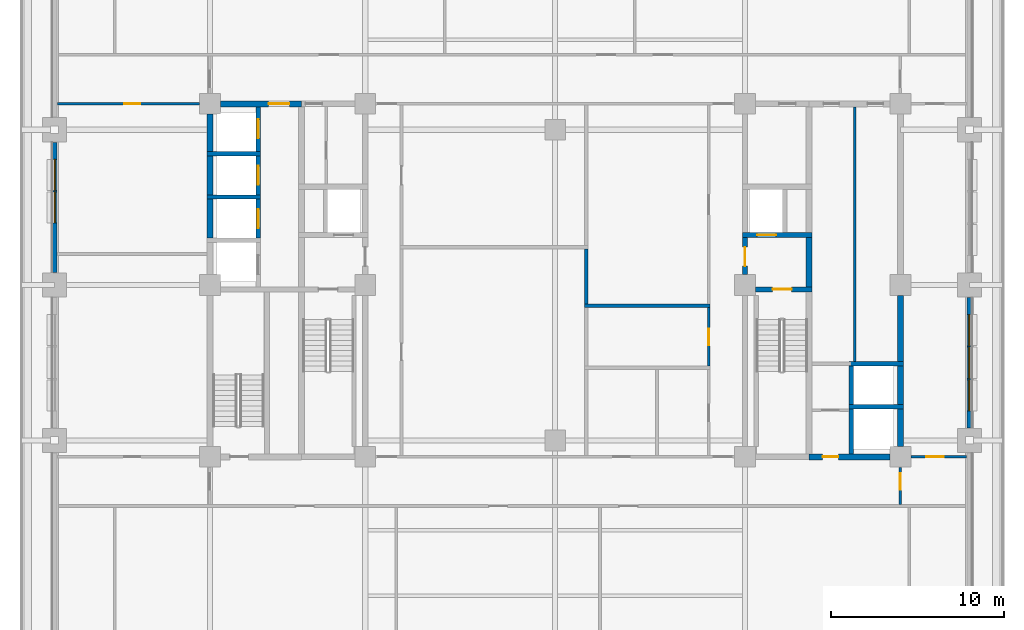
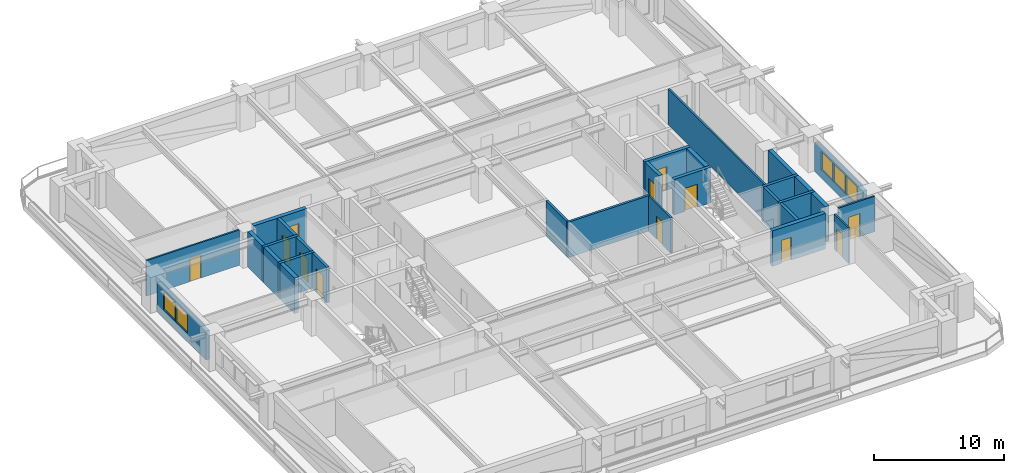
# One storey, part 4 of 14: 30 walls, 12 doors, 5 windows, 17 openings.
"""IFC4 building model written with IfcOpenShell, lengths in metres."""

from ifc_helpers import new_model, si_unit, direction, frame, frame_2d, origin, place, context, subcontext, project, spatial, rectangle, extrude, material, layer, layer_set, type_object, element, fill, save


model = new_model("IFC4")

# Units and contexts
model_context = context("Model", 3, precision=1e-05, world=origin(), true_north=direction((0.0, 1.0)))
body_context = subcontext(model_context, "Body", "Model", "MODEL_VIEW")
ifc_project = project(units=[si_unit("LENGTHUNIT", "METRE"), si_unit("AREAUNIT", "SQUARE_METRE"), si_unit("VOLUMEUNIT", "CUBIC_METRE"), si_unit("PLANEANGLEUNIT", "RADIAN"), si_unit("MASSUNIT", "GRAM", prefix="KILO")], contexts=[model_context])

# Site, building, storey
site_placement = place(None, origin())
site = spatial("IfcSite", under=ifc_project, at=site_placement, CompositionType="ELEMENT")
building_placement = place(site_placement, origin())
building = spatial("IfcBuilding", under=site, at=building_placement, Name="Zulmaris Gate Convention Tower", CompositionType="ELEMENT")
storey_placement = place(building_placement, frame((0.0, 0.0, 64.329833984375)))
storey = spatial("IfcBuildingStorey", under=building, at=storey_placement, Name="L15", CompositionType="ELEMENT", Elevation=64.329833984375)

# Walls
ifc_material_1 = material(Name="Concrete C50/60", Category="concrete")
ifc_layer_1 = layer(ifc_material_1, 0.25, Name="Concrete C50/60")
ifc_layer_set_1 = layer_set([ifc_layer_1], Name="Concrete C50/60")
wall_type_1 = type_object("IfcWallType", Name="CORE-250", PredefinedType="SOLIDWALL", material=ifc_layer_set_1)
for number, where, z_axis, x_axis, name in (
    (1, (17.02490234375, -7.050048828125, 0.0), (0.0, 0.0, 1.0), (1.0, 0.0, 0.0), "WL-L15-005"),
    (2, (17.02490234375, -4.550048828125, 0.0), (0.0, 0.0, 1.0), (1.0, 0.0, 0.0), "WL-L15-006"),
):
    element("IfcWall", number, at=place(storey_placement, frame(where, z_axis=z_axis, x_axis=x_axis)), inside=storey, type_object=wall_type_1, Name=name, PredefinedType="SOLIDWALL", context=body_context, shape_type="SweptSolid", body=[
        extrude(rectangle(XDim=3.150146484375, YDim=0.25, at=frame_2d((1.5751953125, 0.0))), origin(), (0.0, 0.0, 1.0), 3.320068359375),
    ])
for number, where, z_axis, x_axis, name in (
    (3, (-20.175048828125, 5.10009765625, 0.0), (0.0, 0.0, 1.0), (1.0, 0.0, 0.0), "WL-L15-012"),
    (4, (-20.175048828125, 7.60009765625, 0.0), (0.0, 0.0, 1.0), (1.0, 0.0, 0.0), "WL-L15-015"),
):
    element("IfcWall", number, at=place(storey_placement, frame(where, z_axis=z_axis, x_axis=x_axis)), inside=storey, type_object=wall_type_1, Name=name, PredefinedType="SOLIDWALL", context=body_context, shape_type="SweptSolid", body=[
        extrude(rectangle(XDim=3.10009765625, YDim=0.25, at=frame_2d((1.550048828125, 0.0))), origin(), (0.0, 0.0, 1.0), 3.320068359375),
    ])

# Wall, opening, door
wall_1_placement = place(storey_placement, frame((-17.199951171875, 2.72705078125, 0.0), z_axis=(0.0, 0.0, 1.0), x_axis=(0.0, 1.0, 0.0)))
wall_1 = element("IfcWall", 5, at=wall_1_placement, inside=storey, type_object=wall_type_1, Name="WL-L15-040", PredefinedType="SOLIDWALL", context=body_context, shape_type="SweptSolid", body=[
    extrude(rectangle(XDim=2.245849609375, YDim=0.25, at=frame_2d((1.123046875, 0.0))), origin(), (0.0, 0.0, 1.0), 3.320068359375),
])
opening_1_placement = place(wall_1_placement, frame((0.572998046875, 0.0, 0.0)))
opening_1 = element("IfcOpeningElement", 6, at=opening_1_placement, cuts=wall_1, Name="Opening D-06", PredefinedType="OPENING", context=body_context, shape_type="SweptSolid", body=[
    extrude(rectangle(XDim=1.10009765625, YDim=2.199951171875, at=frame_2d((0.550048828125, 1.10009765625))), frame((0.0, 0.135009765625, 0.0), z_axis=(0.0, -1.0, 0.0), x_axis=(1.0, 0.0, 0.0)), (0.0, 0.0, 1.0), 0.27001953125),
])
ifc_material_2 = material(Name="Brushed Stainless Steel", Category="steel")
door_type_1 = type_object("IfcDoorType", Name="LD-1100", OperationType="NOTDEFINED", PredefinedType="DOOR", material=ifc_material_2)
door_1_placement = place(opening_1_placement, origin())
door_1 = element("IfcDoor", 7, at=door_1_placement, inside=storey, type_object=door_type_1, Name="L15 Lift Landing Door LP-02 13", OperationType="SLIDING_TO_LEFT", OverallHeight=2.199951171875, OverallWidth=1.10009765625, PredefinedType="DOOR", context=body_context, shape_type="SweptSolid", body=[
    extrude(rectangle(XDim=1.10009765625, YDim=2.199951171875, at=frame_2d((0.550048828125, 1.10009765625))), frame((0.0, 0.02490234375, 0.0), z_axis=(0.0, -1.0, 0.0), x_axis=(1.0, 0.0, 0.0)), (0.0, 0.0, 1.0), 0.050048828125),
])
fill(opening_1, door_1)

wall_2_placement = place(storey_placement, frame((-17.199951171875, 5.22705078125, 0.0), z_axis=(0.0, 0.0, 1.0), x_axis=(0.0, 1.0, 0.0)))
wall_2 = element("IfcWall", 8, at=wall_2_placement, inside=storey, type_object=wall_type_1, Name="WL-L15-041", PredefinedType="SOLIDWALL", context=body_context, shape_type="SweptSolid", body=[
    extrude(rectangle(XDim=2.245849609375, YDim=0.25, at=frame_2d((1.123046875, 0.0))), origin(), (0.0, 0.0, 1.0), 3.320068359375),
])
opening_2_placement = place(wall_2_placement, frame((0.572998046875, 0.0, 0.0)))
opening_2 = element("IfcOpeningElement", 9, at=opening_2_placement, cuts=wall_2, Name="Opening D-06", PredefinedType="OPENING", context=body_context, shape_type="SweptSolid", body=[
    extrude(rectangle(XDim=1.10009765625, YDim=2.199951171875, at=frame_2d((0.550048828125, 1.10009765625))), frame((0.0, 0.135009765625, 0.0), z_axis=(0.0, -1.0, 0.0), x_axis=(1.0, 0.0, 0.0)), (0.0, 0.0, 1.0), 0.27001953125),
])
door_2_placement = place(opening_2_placement, origin())
door_2 = element("IfcDoor", 10, at=door_2_placement, inside=storey, type_object=door_type_1, Name="L15 Lift Landing Door LP-03 14", OperationType="SLIDING_TO_LEFT", OverallHeight=2.199951171875, OverallWidth=1.10009765625, PredefinedType="DOOR", context=body_context, shape_type="SweptSolid", body=[
    extrude(rectangle(XDim=1.10009765625, YDim=2.199951171875, at=frame_2d((0.550048828125, 1.10009765625))), frame((0.0, 0.02490234375, 0.0), z_axis=(0.0, -1.0, 0.0), x_axis=(1.0, 0.0, 0.0)), (0.0, 0.0, 1.0), 0.050048828125),
])
fill(opening_2, door_2)

wall_3_placement = place(storey_placement, frame((-17.199951171875, 7.72705078125, 0.0), z_axis=(0.0, 0.0, 1.0), x_axis=(0.0, 1.0, 0.0)))
wall_3 = element("IfcWall", 11, at=wall_3_placement, inside=storey, type_object=wall_type_1, Name="WL-L15-042", PredefinedType="SOLIDWALL", context=body_context, shape_type="SweptSolid", body=[
    extrude(rectangle(XDim=2.595947265625, YDim=0.25, at=frame_2d((1.2978515625, 0.0))), origin(), (0.0, 0.0, 1.0), 3.320068359375),
])
opening_3_placement = place(wall_3_placement, frame((0.77294921875, 0.0, 0.0)))
opening_3 = element("IfcOpeningElement", 12, at=opening_3_placement, cuts=wall_3, Name="Opening D-06", PredefinedType="OPENING", context=body_context, shape_type="SweptSolid", body=[
    extrude(rectangle(XDim=1.10009765625, YDim=2.199951171875, at=frame_2d((0.550048828125, 1.10009765625))), frame((0.0, 0.135009765625, 0.0), z_axis=(0.0, -1.0, 0.0), x_axis=(1.0, 0.0, 0.0)), (0.0, 0.0, 1.0), 0.27001953125),
])
door_3_placement = place(opening_3_placement, origin())
door_3 = element("IfcDoor", 13, at=door_3_placement, inside=storey, type_object=door_type_1, Name="L15 Lift Landing Door LP-04 15", OperationType="SLIDING_TO_LEFT", OverallHeight=2.199951171875, OverallWidth=1.10009765625, PredefinedType="DOOR", context=body_context, shape_type="SweptSolid", body=[
    extrude(rectangle(XDim=1.10009765625, YDim=2.199951171875, at=frame_2d((0.550048828125, 1.10009765625))), frame((0.0, 0.02490234375, 0.0), z_axis=(0.0, -1.0, 0.0), x_axis=(1.0, 0.0, 0.0)), (0.0, 0.0, 1.0), 0.050048828125),
])
fill(opening_3, door_3)

# Walls
wall_4_placement = place(storey_placement, frame((17.14990234375, -9.77294921875, 0.0), z_axis=(0.0, 0.0, 1.0), x_axis=(0.0, 1.0, 0.0)))
element("IfcWall", 14, at=wall_4_placement, inside=storey, type_object=wall_type_1, Name="WL-L15-064", PredefinedType="SOLIDWALL", context=body_context, shape_type="SweptSolid", body=[
    extrude(rectangle(XDim=2.595947265625, YDim=0.25, at=frame_2d((1.2978515625, 0.0))), origin(), (0.0, 0.0, 1.0), 3.320068359375),
])
wall_5_placement = place(storey_placement, frame((17.14990234375, -6.923095703125, 0.0), z_axis=(0.0, 0.0, 1.0), x_axis=(0.0, 1.0, 0.0)))
element("IfcWall", 15, at=wall_5_placement, inside=storey, type_object=wall_type_1, Name="WL-L15-065", PredefinedType="SOLIDWALL", context=body_context, shape_type="SweptSolid", body=[
    extrude(rectangle(XDim=2.24609375, YDim=0.25, at=frame_2d((1.123046875, 0.0))), origin(), (0.0, 0.0, 1.0), 3.320068359375),
])

# Wall, opening, door
ifc_layer_2 = layer(ifc_material_1, 0.300048828125, Name="Concrete C50/60")
ifc_layer_set_2 = layer_set([ifc_layer_2], Name="Concrete C50/60")
wall_type_2 = type_object("IfcWallType", Name="CORE-300", PredefinedType="SHEAR", material=ifc_layer_set_2)
wall_6_placement = place(storey_placement, frame((11.60400390625, -0.25, 0.0), z_axis=(0.0, 0.0, 1.0), x_axis=(1.0, 0.0, 0.0)))
wall_6 = element("IfcWall", 16, at=wall_6_placement, inside=storey, type_object=wall_type_2, Name="WL-L15-008", PredefinedType="SHEAR", context=body_context, shape_type="SweptSolid", body=[
    extrude(rectangle(XDim=3.27099609375, YDim=0.300048828125, at=frame_2d((1.635498046875, 0.0))), origin(), (0.0, 0.0, 1.0), 3.320068359375),
])
opening_4_placement = place(wall_6_placement, frame((0.99609375, 0.0, 0.0)))
opening_4 = element("IfcOpeningElement", 17, at=opening_4_placement, cuts=wall_6, Name="Opening D-08", PredefinedType="OPENING", context=body_context, shape_type="SweptSolid", body=[
    extrude(rectangle(XDim=1.10009765625, YDim=2.14990234375, at=frame_2d((0.550048828125, 1.074951171875))), frame((0.0, 0.16015625, 0.0), z_axis=(0.0, -1.0, 0.0), x_axis=(1.0, 0.0, 0.0)), (0.0, 0.0, 1.0), 0.320068359375),
])
ifc_material_3 = material(Name="Fire-Rated Steel", Category="steel")
door_type_2 = type_object("IfcDoorType", Name="DR-1100-FD", OperationType="NOTDEFINED", PredefinedType="DOOR", material=ifc_material_3)
door_4_placement = place(opening_4_placement, origin())
door_4 = element("IfcDoor", 18, at=door_4_placement, inside=storey, type_object=door_type_2, Name="L15 Exit Stair ST-2 Door 04", OperationType="SINGLE_SWING_LEFT", OverallHeight=2.14990234375, OverallWidth=1.10009765625, PredefinedType="DOOR", context=body_context, shape_type="SweptSolid", body=[
    extrude(rectangle(XDim=1.10009765625, YDim=2.14990234375, at=frame_2d((0.550048828125, 1.074951171875))), frame((0.0, 0.02490234375, 0.0), z_axis=(0.0, -1.0, 0.0), x_axis=(1.0, 0.0, 0.0)), (0.0, 0.0, 1.0), 0.050048828125),
])
fill(opening_4, door_4)

wall_7_placement = place(storey_placement, frame((10.85009765625, 2.89990234375, 0.0), z_axis=(0.0, 0.0, 1.0), x_axis=(1.0, 0.0, 0.0)))
wall_7 = element("IfcWall", 19, at=wall_7_placement, inside=storey, type_object=wall_type_2, Name="WL-L15-011", PredefinedType="SHEAR", context=body_context, shape_type="SweptSolid", body=[
    extrude(rectangle(XDim=4.02490234375, YDim=0.300048828125, at=frame_2d((2.012451171875, 0.0))), origin(), (0.0, 0.0, 1.0), 3.320068359375),
])
opening_5_placement = place(wall_7_placement, frame((0.85009765625, 0.0, 0.0)))
opening_5 = element("IfcOpeningElement", 20, at=opening_5_placement, cuts=wall_7, Name="Opening D-06", PredefinedType="OPENING", context=body_context, shape_type="SweptSolid", body=[
    extrude(rectangle(XDim=1.10009765625, YDim=2.199951171875, at=frame_2d((0.550048828125, 1.10009765625))), frame((0.0, 0.16015625, 0.0), z_axis=(0.0, -1.0, 0.0), x_axis=(1.0, 0.0, 0.0)), (0.0, 0.0, 1.0), 0.320068359375),
])
door_5_placement = place(opening_5_placement, origin())
door_5 = element("IfcDoor", 21, at=door_5_placement, inside=storey, type_object=door_type_1, Name="L15 Lift Landing Door LF-02 06", OperationType="SLIDING_TO_RIGHT", OverallHeight=2.199951171875, OverallWidth=1.10009765625, PredefinedType="DOOR", context=body_context, shape_type="SweptSolid", body=[
    extrude(rectangle(XDim=1.10009765625, YDim=2.199951171875, at=frame_2d((0.550048828125, 1.10009765625))), frame((0.0, 0.02490234375, 0.0), z_axis=(0.0, -1.0, 0.0), x_axis=(1.0, 0.0, 0.0)), (0.0, 0.0, 1.0), 0.050048828125),
])
fill(opening_5, door_5)

wall_8_placement = place(storey_placement, frame((11.0, 0.60400390625, 0.0), z_axis=(0.0, 0.0, 1.0), x_axis=(0.0, 1.0, 0.0)))
wall_8 = element("IfcWall", 22, at=wall_8_placement, inside=storey, type_object=wall_type_2, Name="WL-L15-055", PredefinedType="SHEAR", context=body_context, shape_type="SweptSolid", body=[
    extrude(rectangle(XDim=2.14404296875, YDim=0.300048828125, at=frame_2d((1.072021484375, 0.0))), origin(), (0.0, 0.0, 1.0), 3.320068359375),
])
opening_6_placement = place(wall_8_placement, frame((0.49609375, 0.0, 0.0)))
opening_6 = element("IfcOpeningElement", 23, at=opening_6_placement, cuts=wall_8, Name="Opening D-08", PredefinedType="OPENING", context=body_context, shape_type="SweptSolid", body=[
    extrude(rectangle(XDim=1.10009765625, YDim=2.14990234375, at=frame_2d((0.550048828125, 1.074951171875))), frame((0.0, 0.16015625, 0.0), z_axis=(0.0, -1.0, 0.0), x_axis=(1.0, 0.0, 0.0)), (0.0, 0.0, 1.0), 0.320068359375),
])
door_6_placement = place(opening_6_placement, origin())
door_6 = element("IfcDoor", 24, at=door_6_placement, inside=storey, type_object=door_type_2, Name="L15 East Firefighting Lobby Door 05", OperationType="SINGLE_SWING_RIGHT", OverallHeight=2.14990234375, OverallWidth=1.10009765625, PredefinedType="DOOR", context=body_context, shape_type="SweptSolid", body=[
    extrude(rectangle(XDim=1.10009765625, YDim=2.14990234375, at=frame_2d((0.550048828125, 1.074951171875))), frame((0.0, 0.02490234375, 0.0), z_axis=(0.0, -1.0, 0.0), x_axis=(1.0, 0.0, 0.0)), (0.0, 0.0, 1.0), 0.050048828125),
])
fill(opening_6, door_6)

ifc_material_4 = material(Name="Concrete C55/67", Category="concrete")
ifc_layer_3 = layer(ifc_material_4, 0.35009765625, Name="Concrete C55/67")
ifc_layer_set_3 = layer_set([ifc_layer_3], Name="Concrete C55/67")
wall_type_3 = type_object("IfcWallType", Name="CORE-350", PredefinedType="SHEAR", material=ifc_layer_set_3)
wall_9_placement = place(storey_placement, frame((14.699951171875, -9.949951171875, 0.0), z_axis=(0.0, 0.0, 1.0), x_axis=(1.0, 0.0, 0.0)))
wall_9 = element("IfcWall", 25, at=wall_9_placement, inside=storey, type_object=wall_type_3, Name="WL-L15-004", PredefinedType="SHEAR", context=body_context, shape_type="SweptSolid", body=[
    extrude(rectangle(XDim=4.696044921875, YDim=0.35009765625, at=frame_2d((2.34814453125, 0.0))), origin(), (0.0, 0.0, 1.0), 3.320068359375),
])
opening_7_placement = place(wall_9_placement, frame((0.800048828125, 0.0, 0.0)))
opening_7 = element("IfcOpeningElement", 26, at=opening_7_placement, cuts=wall_9, Name="Opening D-12", PredefinedType="OPENING", context=body_context, shape_type="SweptSolid", body=[
    extrude(rectangle(XDim=0.89990234375, YDim=2.14990234375, at=frame_2d((0.449951171875, 1.074951171875))), frame((0.0, 0.18505859375, 0.0), z_axis=(0.0, -1.0, 0.0), x_axis=(1.0, 0.0, 0.0)), (0.0, 0.0, 1.0), 0.3701171875),
])
ifc_material_5 = material(Name="Fire-Rated Timber", Category="wood")
door_type_3 = type_object("IfcDoorType", Name="DR-900-FD", OperationType="NOTDEFINED", PredefinedType="DOOR", material=ifc_material_5)
door_7_placement = place(opening_7_placement, origin())
door_7 = element("IfcDoor", 27, at=door_7_placement, inside=storey, type_object=door_type_3, Name="L15 East Cleaners Store Door 16", OperationType="SINGLE_SWING_RIGHT", OverallHeight=2.14990234375, OverallWidth=0.89990234375, PredefinedType="DOOR", context=body_context, shape_type="SweptSolid", body=[
    extrude(rectangle(XDim=0.89990234375, YDim=2.14990234375, at=frame_2d((0.449951171875, 1.074951171875))), frame((0.0, 0.02490234375, 0.0), z_axis=(0.0, -1.0, 0.0), x_axis=(1.0, 0.0, 0.0)), (0.0, 0.0, 1.0), 0.050048828125),
])
fill(opening_7, door_7)

wall_10_placement = place(storey_placement, frame((-19.39599609375, 10.5, 0.0), z_axis=(0.0, 0.0, 1.0), x_axis=(1.0, 0.0, 0.0)))
wall_10 = element("IfcWall", 28, at=wall_10_placement, inside=storey, type_object=wall_type_3, Name="WL-L15-016", PredefinedType="SHEAR", context=body_context, shape_type="SweptSolid", body=[
    extrude(rectangle(XDim=4.696044921875, YDim=0.35009765625, at=frame_2d((2.34814453125, 0.0))), origin(), (0.0, 0.0, 1.0), 3.320068359375),
])
opening_8_placement = place(wall_10_placement, frame((2.7958984375, 0.0, 0.0)))
opening_8 = element("IfcOpeningElement", 29, at=opening_8_placement, cuts=wall_10, Name="Opening D-13", PredefinedType="OPENING", context=body_context, shape_type="SweptSolid", body=[
    extrude(rectangle(XDim=1.199951171875, YDim=2.14990234375, at=frame_2d((0.60009765625, 1.074951171875))), frame((0.0, 0.18505859375, 0.0), z_axis=(0.0, -1.0, 0.0), x_axis=(1.0, 0.0, 0.0)), (0.0, 0.0, 1.0), 0.3701171875),
])
door_type_4 = type_object("IfcDoorType", Name="DR-1200-FD", OperationType="NOTDEFINED", PredefinedType="DOOR", material=ifc_material_3)
door_8_placement = place(opening_8_placement, origin())
door_8 = element("IfcDoor", 30, at=door_8_placement, inside=storey, type_object=door_type_4, Name="L15 Low-Rise Lift Lobby Door 11", OperationType="SINGLE_SWING_LEFT", OverallHeight=2.14990234375, OverallWidth=1.199951171875, PredefinedType="DOOR", context=body_context, shape_type="SweptSolid", body=[
    extrude(rectangle(XDim=1.199951171875, YDim=2.14990234375, at=frame_2d((0.60009765625, 1.074951171875))), frame((0.0, 0.02490234375, 0.0), z_axis=(0.0, -1.0, 0.0), x_axis=(1.0, 0.0, 0.0)), (0.0, 0.0, 1.0), 0.050048828125),
])
fill(opening_8, door_8)

# Walls
for number, where, z_axis, x_axis, name in (
    (31, (-20.0, 2.72705078125, 0.0), (0.0, 0.0, 1.0), (0.0, 1.0, 0.0), "WL-L15-036"),
    (32, (-20.0, 5.22705078125, 0.0), (0.0, 0.0, 1.0), (0.0, 1.0, 0.0), "WL-L15-037"),
):
    element("IfcWall", number, at=place(storey_placement, frame(where, z_axis=z_axis, x_axis=x_axis)), inside=storey, type_object=wall_type_3, Name=name, PredefinedType="SHEAR", context=body_context, shape_type="SweptSolid", body=[
        extrude(rectangle(XDim=2.245849609375, YDim=0.35009765625, at=frame_2d((1.123046875, 0.0))), origin(), (0.0, 0.0, 1.0), 3.320068359375),
    ])
wall_11_placement = place(storey_placement, frame((-20.0, 7.72705078125, 0.0), z_axis=(0.0, 0.0, 1.0), x_axis=(0.0, 1.0, 0.0)))
element("IfcWall", 33, at=wall_11_placement, inside=storey, type_object=wall_type_3, Name="WL-L15-038", PredefinedType="SHEAR", context=body_context, shape_type="SweptSolid", body=[
    extrude(rectangle(XDim=2.1689453125, YDim=0.35009765625, at=frame_2d((1.08447265625, 0.0))), origin(), (0.0, 0.0, 1.0), 3.320068359375),
])
wall_12_placement = place(storey_placement, frame((14.699951171875, -0.097900390625, 0.0), z_axis=(0.0, 0.0, 1.0), x_axis=(0.0, 1.0, 0.0)))
element("IfcWall", 34, at=wall_12_placement, inside=storey, type_object=wall_type_3, Name="WL-L15-061", PredefinedType="SHEAR", context=body_context, shape_type="SweptSolid", body=[
    extrude(rectangle(XDim=2.845947265625, YDim=0.35009765625, at=frame_2d((1.4228515625, 0.0))), origin(), (0.0, 0.0, 1.0), 3.320068359375),
])
wall_13_placement = place(storey_placement, frame((20.0, -9.345947265625, 0.0), z_axis=(0.0, 0.0, 1.0), x_axis=(0.0, 1.0, 0.0)))
element("IfcWall", 35, at=wall_13_placement, inside=storey, type_object=wall_type_3, Name="WL-L15-066", PredefinedType="SHEAR", context=body_context, shape_type="SweptSolid", body=[
    extrude(rectangle(XDim=2.1689453125, YDim=0.35009765625, at=frame_2d((1.08447265625, 0.0))), origin(), (0.0, 0.0, 1.0), 3.320068359375),
])
wall_14_placement = place(storey_placement, frame((20.0, -6.923095703125, 0.0), z_axis=(0.0, 0.0, 1.0), x_axis=(0.0, 1.0, 0.0)))
element("IfcWall", 36, at=wall_14_placement, inside=storey, type_object=wall_type_3, Name="WL-L15-067", PredefinedType="SHEAR", context=body_context, shape_type="SweptSolid", body=[
    extrude(rectangle(XDim=2.24609375, YDim=0.35009765625, at=frame_2d((1.123046875, 0.0))), origin(), (0.0, 0.0, 1.0), 3.320068359375),
])
wall_15_placement = place(storey_placement, frame((20.0, -4.423095703125, 0.0), z_axis=(0.0, 0.0, 1.0), x_axis=(0.0, 1.0, 0.0)))
element("IfcWall", 37, at=wall_15_placement, inside=storey, type_object=wall_type_3, Name="WL-L15-068", PredefinedType="SHEAR", context=body_context, shape_type="SweptSolid", body=[
    extrude(rectangle(XDim=3.819091796875, YDim=0.35009765625, at=frame_2d((1.90966796875, 0.0))), origin(), (0.0, 0.0, 1.0), 3.320068359375),
])

# Wall, opening, door
ifc_material_6 = material(Name="Gypsum Metal Stud Partition")
ifc_layer_4 = layer(ifc_material_6, 0.14990234375, Name="Gypsum Metal Stud Partition")
ifc_layer_set_4 = layer_set([ifc_layer_4], Name="Gypsum Metal Stud Partition")
wall_type_4 = type_object("IfcWallType", Name="PART-150", PredefinedType="PARTITIONING", material=ifc_layer_set_4)
wall_16_placement = place(storey_placement, frame((20.60595703125, -9.949951171875, 0.0), z_axis=(0.0, 0.0, 1.0), x_axis=(1.0, 0.0, 0.0)))
wall_16 = element("IfcWall", 38, at=wall_16_placement, inside=storey, type_object=wall_type_4, Name="WL-L15-023", PredefinedType="PARTITIONING", context=body_context, shape_type="SweptSolid", body=[
    extrude(rectangle(XDim=3.22900390625, YDim=0.14990234375, at=frame_2d((1.614501953125, 0.0))), origin(), (0.0, 0.0, 1.0), 3.320068359375),
])
opening_9_placement = place(wall_16_placement, frame((0.89404296875, 0.0, 0.0)))
opening_9 = element("IfcOpeningElement", 39, at=opening_9_placement, cuts=wall_16, Name="Opening D-10", PredefinedType="OPENING", context=body_context, shape_type="SweptSolid", body=[
    extrude(rectangle(XDim=1.0, YDim=2.14990234375, at=frame_2d((0.5, 1.074951171875))), frame((0.0, 0.0849609375, 0.0), z_axis=(0.0, -1.0, 0.0), x_axis=(1.0, 0.0, 0.0)), (0.0, 0.0, 1.0), 0.169921875),
])
door_type_5 = type_object("IfcDoorType", Name="DR-1000-FD", OperationType="NOTDEFINED", PredefinedType="DOOR", material=ifc_material_5)
door_9_placement = place(opening_9_placement, origin())
door_9 = element("IfcDoor", 40, at=door_9_placement, inside=storey, type_object=door_type_5, Name="L15 East Workplace South Door 43", OperationType="SINGLE_SWING_LEFT", OverallHeight=2.14990234375, OverallWidth=1.0, PredefinedType="DOOR", context=body_context, shape_type="SweptSolid", body=[
    extrude(rectangle(XDim=1.0, YDim=2.14990234375, at=frame_2d((0.5, 1.074951171875))), frame((0.0, 0.02490234375, 0.0), z_axis=(0.0, -1.0, 0.0), x_axis=(1.0, 0.0, 0.0)), (0.0, 0.0, 1.0), 0.050048828125),
])
fill(opening_9, door_9)

wall_17_placement = place(storey_placement, frame((-28.8349609375, 10.5, 0.0), z_axis=(0.0, 0.0, 1.0), x_axis=(1.0, 0.0, 0.0)))
wall_17 = element("IfcWall", 41, at=wall_17_placement, inside=storey, type_object=wall_type_4, Name="WL-L15-030", PredefinedType="PARTITIONING", context=body_context, shape_type="SweptSolid", body=[
    extrude(rectangle(XDim=8.22900390625, YDim=0.14990234375, at=frame_2d((4.114501953125, 0.0))), origin(), (0.0, 0.0, 1.0), 3.320068359375),
])
opening_10_placement = place(wall_17_placement, frame((3.860107421875, 0.0, 0.0)))
opening_10 = element("IfcOpeningElement", 42, at=opening_10_placement, cuts=wall_17, Name="Opening D-11", PredefinedType="OPENING", context=body_context, shape_type="SweptSolid", body=[
    extrude(rectangle(XDim=0.949951171875, YDim=2.14990234375, at=frame_2d((0.47509765625, 1.074951171875))), frame((0.0, 0.0849609375, 0.0), z_axis=(0.0, -1.0, 0.0), x_axis=(1.0, 0.0, 0.0)), (0.0, 0.0, 1.0), 0.169921875),
])
door_type_6 = type_object("IfcDoorType", Name="DR-950-FD", OperationType="NOTDEFINED", PredefinedType="DOOR", material=ifc_material_5)
door_10_placement = place(opening_10_placement, origin())
door_10 = element("IfcDoor", 43, at=door_10_placement, inside=storey, type_object=door_type_6, Name="L15 NW Partner Door 38", OperationType="SINGLE_SWING_RIGHT", OverallHeight=2.14990234375, OverallWidth=0.949951171875, PredefinedType="DOOR", context=body_context, shape_type="SweptSolid", body=[
    extrude(rectangle(XDim=0.949951171875, YDim=2.14990234375, at=frame_2d((0.47509765625, 1.074951171875))), frame((0.0, 0.02490234375, 0.0), z_axis=(0.0, -1.0, 0.0), x_axis=(1.0, 0.0, 0.0)), (0.0, 0.0, 1.0), 0.050048828125),
])
fill(opening_10, door_10)

wall_18_placement = place(storey_placement, frame((8.89990234375, -4.697021484375, 0.0), z_axis=(0.0, 0.0, 1.0), x_axis=(0.0, 1.0, 0.0)))
wall_18 = element("IfcWall", 44, at=wall_18_placement, inside=storey, type_object=wall_type_4, Name="WL-L15-086", PredefinedType="PARTITIONING", context=body_context, shape_type="SweptSolid", body=[
    extrude(rectangle(XDim=3.39404296875, YDim=0.14990234375, at=frame_2d((1.697021484375, 0.0))), origin(), (0.0, 0.0, 1.0), 3.320068359375),
])
opening_11_placement = place(wall_18_placement, frame((1.221923828125, 0.0, 0.0)))
opening_11 = element("IfcOpeningElement", 45, at=opening_11_placement, cuts=wall_18, Name="Opening D-11", PredefinedType="OPENING", context=body_context, shape_type="SweptSolid", body=[
    extrude(rectangle(XDim=0.949951171875, YDim=2.14990234375, at=frame_2d((0.47509765625, 1.074951171875))), frame((0.0, 0.0849609375, 0.0), z_axis=(0.0, -1.0, 0.0), x_axis=(1.0, 0.0, 0.0)), (0.0, 0.0, 1.0), 0.169921875),
])
door_11_placement = place(opening_11_placement, origin())
door_11 = element("IfcDoor", 46, at=door_11_placement, inside=storey, type_object=door_type_6, Name="L15 Public WC Door 33", OperationType="SINGLE_SWING_LEFT", OverallHeight=2.14990234375, OverallWidth=0.949951171875, PredefinedType="DOOR", context=body_context, shape_type="SweptSolid", body=[
    extrude(rectangle(XDim=0.949951171875, YDim=2.14990234375, at=frame_2d((0.47509765625, 1.074951171875))), frame((0.0, 0.02490234375, 0.0), z_axis=(0.0, -1.0, 0.0), x_axis=(1.0, 0.0, 0.0)), (0.0, 0.0, 1.0), 0.050048828125),
])
fill(opening_11, door_11)

# Wall
wall_19_placement = place(storey_placement, frame((17.35009765625, -4.422119140625, 0.0), z_axis=(0.0, 0.0, 1.0), x_axis=(0.0, 1.0, 0.0)))
element("IfcWall", 47, at=wall_19_placement, inside=storey, type_object=wall_type_4, Name="WL-L15-088", PredefinedType="PARTITIONING", context=body_context, shape_type="SweptSolid", body=[
    extrude(rectangle(XDim=14.744140625, YDim=0.14990234375, at=frame_2d((7.3720703125, 0.0))), origin(), (0.0, 0.0, 1.0), 3.320068359375),
])

# Wall, opening, door
wall_20_placement = place(storey_placement, frame((20.0, -12.721923828125, 0.0), z_axis=(0.0, 0.0, 1.0), x_axis=(0.0, 1.0, 0.0)))
wall_20 = element("IfcWall", 48, at=wall_20_placement, inside=storey, type_object=wall_type_4, Name="WL-L15-089", PredefinedType="PARTITIONING", context=body_context, shape_type="SweptSolid", body=[
    extrude(rectangle(XDim=2.166015625, YDim=0.14990234375, at=frame_2d((1.0830078125, 0.0))), origin(), (0.0, 0.0, 1.0), 3.320068359375),
])
opening_12_placement = place(wall_20_placement, frame((0.866943359375, 0.0, 0.0)))
opening_12 = element("IfcOpeningElement", 49, at=opening_12_placement, cuts=wall_20, Name="Opening D-11", PredefinedType="OPENING", context=body_context, shape_type="SweptSolid", body=[
    extrude(rectangle(XDim=0.949951171875, YDim=2.14990234375, at=frame_2d((0.47509765625, 1.074951171875))), frame((0.0, 0.0849609375, 0.0), z_axis=(0.0, -1.0, 0.0), x_axis=(1.0, 0.0, 0.0)), (0.0, 0.0, 1.0), 0.169921875),
])
door_12_placement = place(opening_12_placement, origin())
door_12 = element("IfcDoor", 50, at=door_12_placement, inside=storey, type_object=door_type_6, Name="L15 SE Spur Door 41", OperationType="SINGLE_SWING_LEFT", OverallHeight=2.14990234375, OverallWidth=0.949951171875, PredefinedType="DOOR", context=body_context, shape_type="SweptSolid", body=[
    extrude(rectangle(XDim=0.949951171875, YDim=2.14990234375, at=frame_2d((0.47509765625, 1.074951171875))), frame((0.0, 0.02490234375, 0.0), z_axis=(0.0, -1.0, 0.0), x_axis=(1.0, 0.0, 0.0)), (0.0, 0.0, 1.0), 0.050048828125),
])
fill(opening_12, door_12)

# Walls
ifc_material_7 = material(Name="Autoclaved Aerated Concrete Block and Plasterboard", Category="concrete")
ifc_layer_5 = layer(ifc_material_7, 0.199951171875, Name="Autoclaved Aerated Concrete Block and Plasterboard")
ifc_layer_set_5 = layer_set([ifc_layer_5], Name="Autoclaved Aerated Concrete Block and Plasterboard")
wall_type_5 = type_object("IfcWallType", Name="PART-200", PredefinedType="PARTITIONING", material=ifc_layer_set_5)
wall_21_placement = place(storey_placement, frame((1.699951171875, -1.199951171875, 0.0), z_axis=(0.0, 0.0, 1.0), x_axis=(1.0, 0.0, 0.0)))
element("IfcWall", 51, at=wall_21_placement, inside=storey, type_object=wall_type_5, Name="WL-L15-027", PredefinedType="PARTITIONING", context=body_context, shape_type="SweptSolid", body=[
    extrude(rectangle(XDim=7.275146484375, YDim=0.199951171875, at=frame_2d((3.6376953125, 0.0))), origin(), (0.0, 0.0, 1.0), 3.320068359375),
])
wall_22_placement = place(storey_placement, frame((1.800048828125, -1.096923828125, 0.0), z_axis=(0.0, 0.0, 1.0), x_axis=(0.0, 1.0, 0.0)))
element("IfcWall", 52, at=wall_22_placement, inside=storey, type_object=wall_type_5, Name="WL-L15-080", PredefinedType="PARTITIONING", context=body_context, shape_type="SweptSolid", body=[
    extrude(rectangle(XDim=3.19384765625, YDim=0.199951171875, at=frame_2d((1.596923828125, 0.0))), origin(), (0.0, 0.0, 1.0), 3.320068359375),
])

# Wall, openings, windows
ifc_material_8 = material(Name="Precast concrete C40/50", Category="concrete")
ifc_layer_6 = layer(ifc_material_8, 0.300048828125, Name="Precast concrete C40/50")
ifc_layer_set_6 = layer_set([ifc_layer_6], Name="Precast concrete C40/50")
wall_type_6 = type_object("IfcWallType", Name="PRECAST-PIER-300", PredefinedType="STANDARD", material=ifc_layer_set_6)
wall_23_placement = place(storey_placement, frame((24.0, -8.27001953125, 0.0), z_axis=(0.0, 0.0, 1.0), x_axis=(0.0, 1.0, 0.0)))
wall_23 = element("IfcWall", 53, at=wall_23_placement, inside=storey, type_object=wall_type_6, Name="EW-L15-E-1_0", PredefinedType="STANDARD", context=body_context, shape_type="SweptSolid", body=[
    extrude(rectangle(XDim=7.5400390625, YDim=0.300048828125, at=frame_2d((3.77001953125, 0.0))), origin(), (0.0, 0.0, 1.0), 2.712158203125),
])
opening_13_placement = place(wall_23_placement, frame((0.985107421875, 0.0, 0.780029296875)))
opening_13 = element("IfcOpeningElement", 54, at=opening_13_placement, cuts=wall_23, Name="Opening W-02", PredefinedType="OPENING", context=body_context, shape_type="SweptSolid", body=[
    extrude(rectangle(XDim=1.800048828125, YDim=1.719970703125, at=frame_2d((0.89990234375, 0.85986328125))), frame((0.0, 0.16015625, 0.0), z_axis=(0.0, -1.0, 0.0), x_axis=(1.0, 0.0, 0.0)), (0.0, 0.0, 1.0), 0.320068359375),
])
opening_14_placement = place(wall_23_placement, frame((2.8701171875, 0.0, 0.780029296875)))
opening_14 = element("IfcOpeningElement", 55, at=opening_14_placement, cuts=wall_23, Name="Opening W-02", PredefinedType="OPENING", context=body_context, shape_type="SweptSolid", body=[
    extrude(rectangle(XDim=1.800048828125, YDim=1.719970703125, at=frame_2d((0.89990234375, 0.85986328125))), frame((0.0, 0.16015625, 0.0), z_axis=(0.0, -1.0, 0.0), x_axis=(1.0, 0.0, 0.0)), (0.0, 0.0, 1.0), 0.320068359375),
])
opening_15_placement = place(wall_23_placement, frame((4.7548828125, 0.0, 0.780029296875)))
opening_15 = element("IfcOpeningElement", 56, at=opening_15_placement, cuts=wall_23, Name="Opening W-02", PredefinedType="OPENING", context=body_context, shape_type="SweptSolid", body=[
    extrude(rectangle(XDim=1.800048828125, YDim=1.719970703125, at=frame_2d((0.89990234375, 0.85986328125))), frame((0.0, 0.16015625, 0.0), z_axis=(0.0, -1.0, 0.0), x_axis=(1.0, 0.0, 0.0)), (0.0, 0.0, 1.0), 0.320068359375),
])
ifc_material_9 = material(Name="Low-E Laminated Double Glazing in Aluminium Frame", Category="aluminium")
window_type = type_object("IfcWindowType", Name="WIN-1800x2200", PartitioningType="SINGLE_PANEL", PredefinedType="WINDOW", material=ifc_material_9)
window_1_placement = place(opening_13_placement, origin())
window_1 = element("IfcWindow", 57, at=window_1_placement, inside=storey, type_object=window_type, Name="WN-EW-L15-E-1_0-1", OverallHeight=1.719970703125, OverallWidth=1.800048828125, PartitioningType="SINGLE_PANEL", PredefinedType="WINDOW", context=body_context, shape_type="SweptSolid", body=[
    extrude(rectangle(XDim=1.800048828125, YDim=1.719970703125, at=frame_2d((0.89990234375, 0.85986328125))), frame((0.0, 0.030029296875, 0.0), z_axis=(0.0, -1.0, 0.0), x_axis=(1.0, 0.0, 0.0)), (0.0, 0.0, 1.0), 0.06005859375),
])
fill(opening_13, window_1)
window_2_placement = place(opening_14_placement, origin())
window_2 = element("IfcWindow", 58, at=window_2_placement, inside=storey, type_object=window_type, Name="WN-EW-L15-E-1_0-2", OverallHeight=1.719970703125, OverallWidth=1.800048828125, PartitioningType="SINGLE_PANEL", PredefinedType="WINDOW", context=body_context, shape_type="SweptSolid", body=[
    extrude(rectangle(XDim=1.800048828125, YDim=1.719970703125, at=frame_2d((0.89990234375, 0.85986328125))), frame((0.0, 0.030029296875, 0.0), z_axis=(0.0, -1.0, 0.0), x_axis=(1.0, 0.0, 0.0)), (0.0, 0.0, 1.0), 0.06005859375),
])
fill(opening_14, window_2)
window_3_placement = place(opening_15_placement, origin())
window_3 = element("IfcWindow", 59, at=window_3_placement, inside=storey, type_object=window_type, Name="WN-EW-L15-E-1_0-3", OverallHeight=1.719970703125, OverallWidth=1.800048828125, PartitioningType="SINGLE_PANEL", PredefinedType="WINDOW", context=body_context, shape_type="SweptSolid", body=[
    extrude(rectangle(XDim=1.800048828125, YDim=1.719970703125, at=frame_2d((0.89990234375, 0.85986328125))), frame((0.0, 0.030029296875, 0.0), z_axis=(0.0, -1.0, 0.0), x_axis=(1.0, 0.0, 0.0)), (0.0, 0.0, 1.0), 0.06005859375),
])
fill(opening_15, window_3)

wall_24_placement = place(storey_placement, frame((-29.0, 8.27001953125, 0.0), z_axis=(0.0, 0.0, 1.0), x_axis=(0.0, -1.0, 0.0)))
wall_24 = element("IfcWall", 60, at=wall_24_placement, inside=storey, type_object=wall_type_6, Name="EW-L15-W-2_0", PredefinedType="STANDARD", context=body_context, shape_type="SweptSolid", body=[
    extrude(rectangle(XDim=7.5400390625, YDim=0.300048828125, at=frame_2d((3.77001953125, 0.0))), origin(), (0.0, 0.0, 1.0), 2.712158203125),
])
opening_16_placement = place(wall_24_placement, frame((0.985107421875, 0.0, 0.780029296875)))
opening_16 = element("IfcOpeningElement", 61, at=opening_16_placement, cuts=wall_24, Name="Opening W-02", PredefinedType="OPENING", context=body_context, shape_type="SweptSolid", body=[
    extrude(rectangle(XDim=1.800048828125, YDim=1.719970703125, at=frame_2d((0.89990234375, 0.85986328125))), frame((0.0, 0.16015625, 0.0), z_axis=(0.0, -1.0, 0.0), x_axis=(1.0, 0.0, 0.0)), (0.0, 0.0, 1.0), 0.320068359375),
])
opening_17_placement = place(wall_24_placement, frame((2.8701171875, 0.0, 0.780029296875)))
opening_17 = element("IfcOpeningElement", 62, at=opening_17_placement, cuts=wall_24, Name="Opening W-02", PredefinedType="OPENING", context=body_context, shape_type="SweptSolid", body=[
    extrude(rectangle(XDim=1.800048828125, YDim=1.719970703125, at=frame_2d((0.89990234375, 0.85986328125))), frame((0.0, 0.16015625, 0.0), z_axis=(0.0, -1.0, 0.0), x_axis=(1.0, 0.0, 0.0)), (0.0, 0.0, 1.0), 0.320068359375),
])
window_4_placement = place(opening_16_placement, origin())
window_4 = element("IfcWindow", 63, at=window_4_placement, inside=storey, type_object=window_type, Name="WN-EW-L15-W-2_0-1", OverallHeight=1.719970703125, OverallWidth=1.800048828125, PartitioningType="SINGLE_PANEL", PredefinedType="WINDOW", context=body_context, shape_type="SweptSolid", body=[
    extrude(rectangle(XDim=1.800048828125, YDim=1.719970703125, at=frame_2d((0.89990234375, 0.85986328125))), frame((0.0, 0.030029296875, 0.0), z_axis=(0.0, -1.0, 0.0), x_axis=(1.0, 0.0, 0.0)), (0.0, 0.0, 1.0), 0.06005859375),
])
fill(opening_16, window_4)
window_5_placement = place(opening_17_placement, origin())
window_5 = element("IfcWindow", 64, at=window_5_placement, inside=storey, type_object=window_type, Name="WN-EW-L15-W-2_0-2", OverallHeight=1.719970703125, OverallWidth=1.800048828125, PartitioningType="SINGLE_PANEL", PredefinedType="WINDOW", context=body_context, shape_type="SweptSolid", body=[
    extrude(rectangle(XDim=1.800048828125, YDim=1.719970703125, at=frame_2d((0.89990234375, 0.85986328125))), frame((0.0, 0.030029296875, 0.0), z_axis=(0.0, -1.0, 0.0), x_axis=(1.0, 0.0, 0.0)), (0.0, 0.0, 1.0), 0.06005859375),
])
fill(opening_17, window_5)

save(model, "model.ifc")
